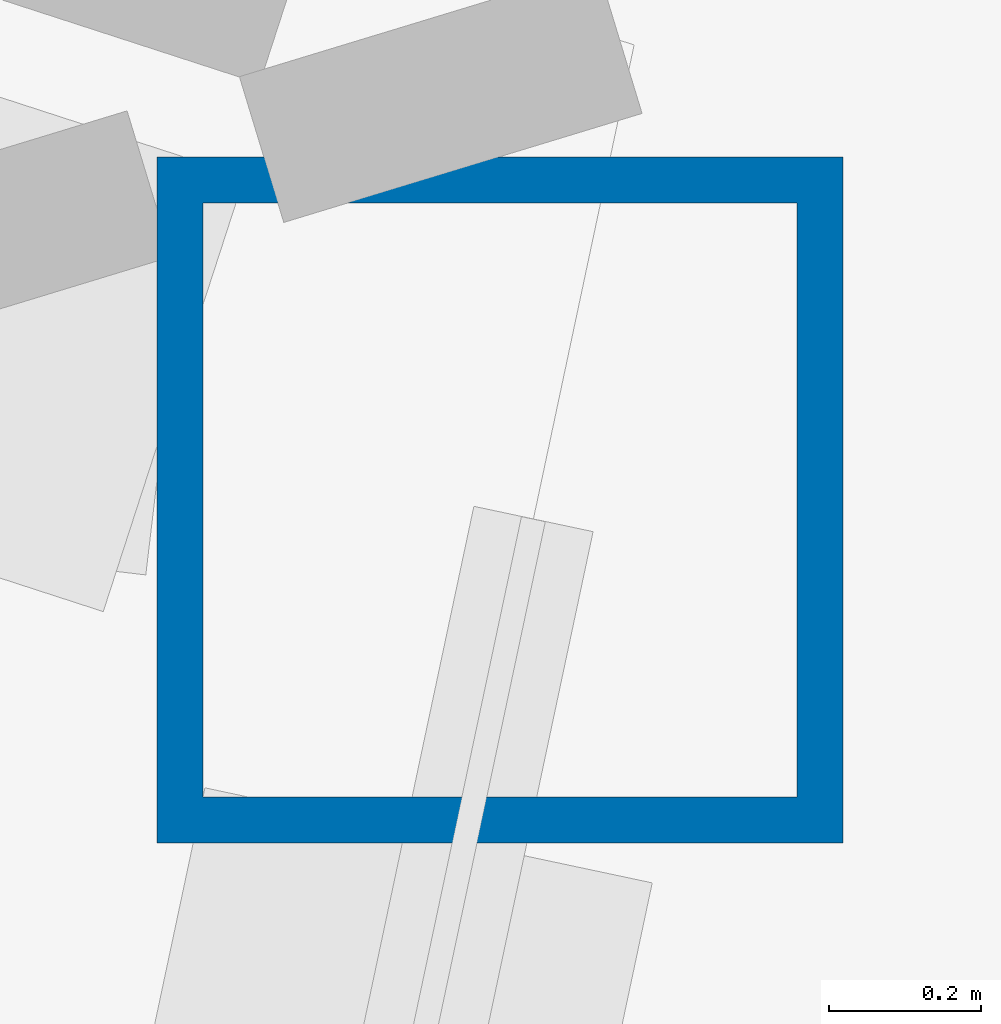
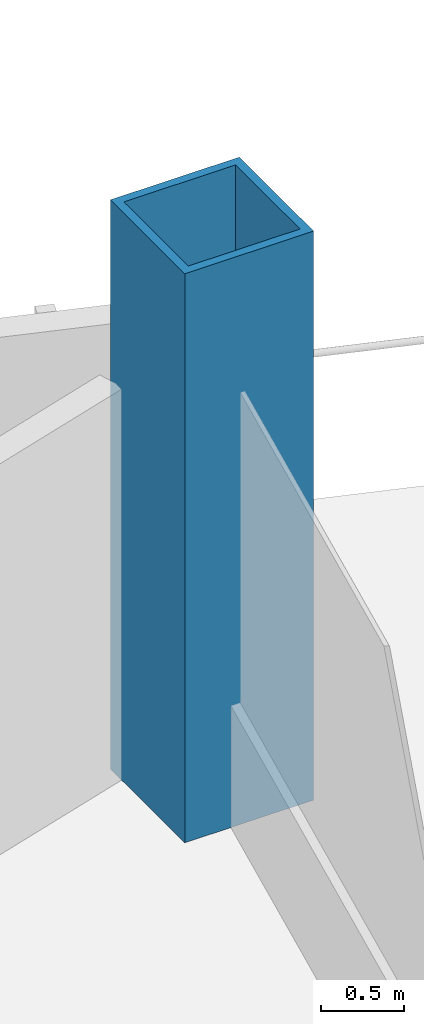
# One storey, part 2 of 21: 1 column.
"""IFC4 building model written with IfcOpenShell, lengths in metres."""

from ifc_helpers import new_model, si_unit, direction, frame, origin, origin_2d, place, context, subcontext, project, spatial, hollow_rectangle, extrude, material, material_profile, profile_set, type_object, element, save


model = new_model("IFC4")

# Units and contexts
model_context = context("Model", 3, precision=1e-05, world=origin(), true_north=direction((0.0, 1.0)))
body_context = subcontext(model_context, "Body", "Model", "MODEL_VIEW")
ifc_project = project(units=[si_unit("LENGTHUNIT", "METRE"), si_unit("AREAUNIT", "SQUARE_METRE"), si_unit("VOLUMEUNIT", "CUBIC_METRE"), si_unit("PLANEANGLEUNIT", "RADIAN"), si_unit("MASSUNIT", "GRAM", prefix="KILO")], contexts=[model_context])

# Site, building, storey
site_placement = place(None, origin())
site = spatial("IfcSite", under=ifc_project, at=site_placement, CompositionType="ELEMENT")
building_placement = place(site_placement, origin())
building = spatial("IfcBuilding", under=site, at=building_placement, Name="Cormorant Prow Tower", CompositionType="ELEMENT")
storey_placement = place(building_placement, frame((0.0, 0.0, 99.60009765625)))
storey = spatial("IfcBuildingStorey", under=building, at=storey_placement, Name="L20", CompositionType="ELEMENT", Elevation=99.60009765625)

# Column
ifc_material = material(Name="Structural steel ASTM A572 Gr 50", Category="steel")
ifc_material_profile = material_profile(ifc_material, hollow_rectangle(XDim=0.89990234375, YDim=0.89990234375, WallThickness=0.06005859375, at=origin_2d()), Name="Box 900x900x60")
ifc_profile_set = profile_set([ifc_material_profile], Name="Structural steel ASTM A572 Gr 50")
column_type = type_object("IfcColumnType", Name="Perimeter box column 900x900x60", PredefinedType="COLUMN", material=ifc_profile_set)
column_placement = place(storey_placement, frame((32.1962890625, -4.967041015625, 0.0), z_axis=(0.0, 0.0, 1.0), x_axis=(1.0, 0.0, 0.0)))
element("IfcColumn", 1, at=column_placement, inside=storey, type_object=column_type, Name="Perimeter column C3 at ENE01 L20", PredefinedType="COLUMN", context=body_context, shape_type="SweptSolid", body=[
    extrude(hollow_rectangle(XDim=0.89990234375, YDim=0.89990234375, WallThickness=0.06005859375, at=origin_2d()), origin(), (0.0, 0.0, 1.0), 4.199951171875),
])

save(model, "model.ifc")
